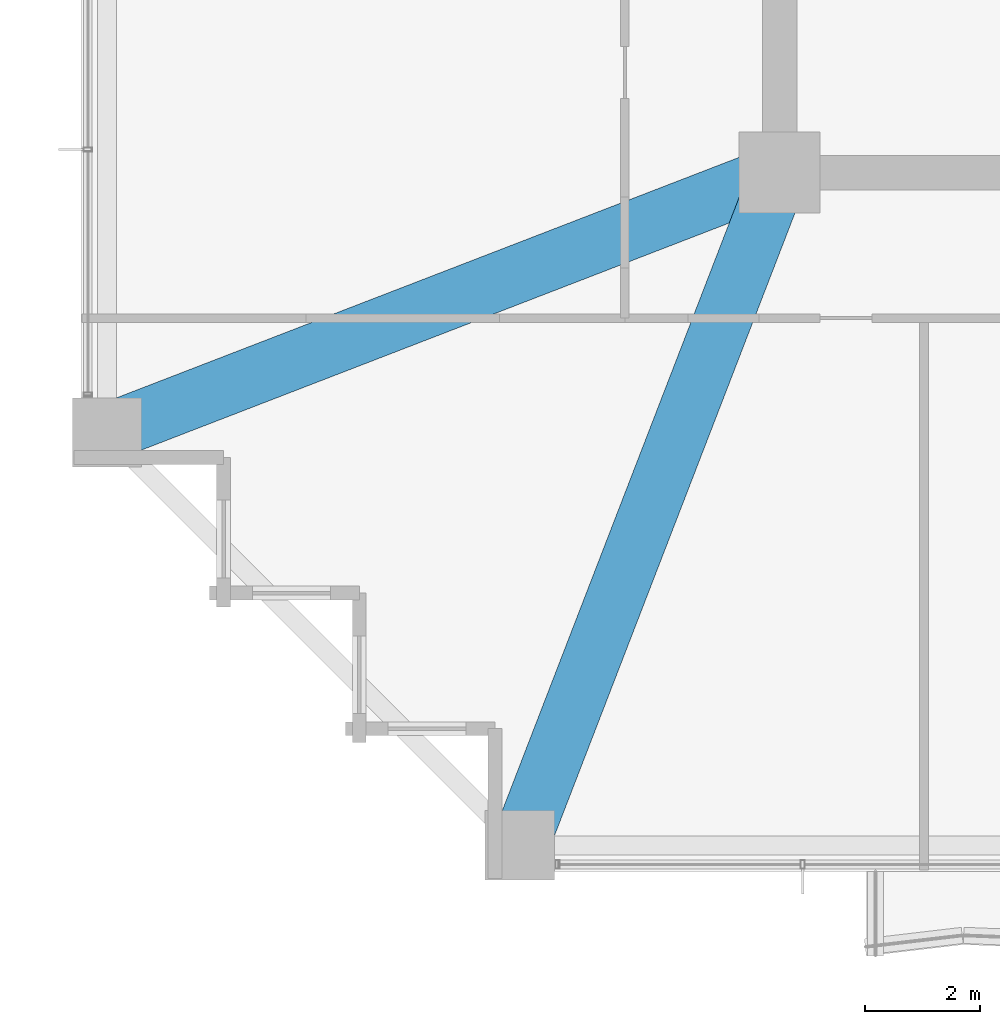
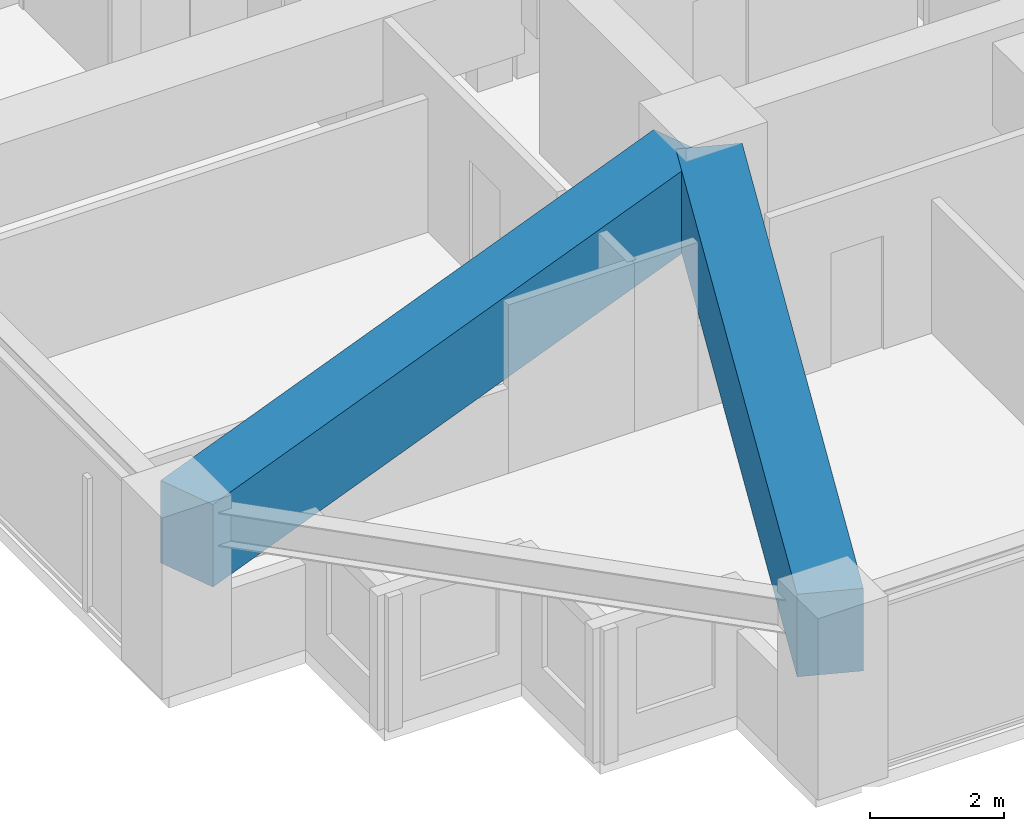
# One storey, part 4 of 37: 2 beams.
"""IFC4 building model written with IfcOpenShell, lengths in metres."""

from ifc_helpers import new_model, si_unit, direction, frame, origin, origin_2d, place, context, subcontext, project, spatial, rectangle, extrude, material, material_profile, profile_set, type_object, element, save


model = new_model("IFC4")

# Units and contexts
model_context = context("Model", 3, precision=1e-05, world=origin(), true_north=direction((0.0, 1.0)))
body_context = subcontext(model_context, "Body", "Model", "MODEL_VIEW")
ifc_project = project(units=[si_unit("LENGTHUNIT", "METRE"), si_unit("AREAUNIT", "SQUARE_METRE"), si_unit("VOLUMEUNIT", "CUBIC_METRE"), si_unit("PLANEANGLEUNIT", "RADIAN"), si_unit("MASSUNIT", "GRAM", prefix="KILO")], contexts=[model_context])

# Site, building, storey
site_placement = place(None, origin())
site = spatial("IfcSite", under=ifc_project, at=site_placement, CompositionType="ELEMENT")
building_placement = place(site_placement, origin())
building = spatial("IfcBuilding", under=site, at=building_placement, Name="Kolvaren Belvedere", CompositionType="ELEMENT")
storey_placement = place(building_placement, frame((0.0, 0.0, 43.60009765625)))
storey = spatial("IfcBuildingStorey", under=building, at=storey_placement, Name="L12", CompositionType="ELEMENT", Elevation=43.60009765625)

# Beams
ifc_material = material(Name="Concrete C50/60", Category="concrete")
ifc_material_profile = material_profile(ifc_material, rectangle(XDim=1.0, YDim=1.5, at=origin_2d()), Name="RC 1000X1500")
ifc_profile_set = profile_set([ifc_material_profile], Name="Concrete C50/60")
beam_type = type_object("IfcBeamType", Name="BM-TG-1500", PredefinedType="BEAM", material=ifc_profile_set)
for number, where, z_axis, x_axis, name in (
    (1, (-10.09814453125, -10.4130859375, 2.309814453125), (-0.360318391835, -0.932829382313, 0.0), (0.932829382313, -0.360318391835, 0.0), "L12 Corner Core-to-Perimeter Girder CC1-S1"),
    (2, (-10.4130859375, -10.09814453125, 2.309814453125), (-0.932829382313, -0.360318391835, 0.0), (0.360318391835, -0.932829382313, 0.0), "L12 Corner Core-to-Perimeter Girder CC1-W1"),
):
    element("IfcBeam", number, at=place(storey_placement, frame(where, z_axis=z_axis, x_axis=x_axis)), inside=storey, type_object=beam_type, Name=name, PredefinedType="BEAM", context=body_context, shape_type="SweptSolid", body=[
        extrude(rectangle(XDim=1.0, YDim=1.5, at=origin_2d()), origin(), (0.0, 0.0, 1.0), 11.698974609375),
    ])

save(model, "model.ifc")
